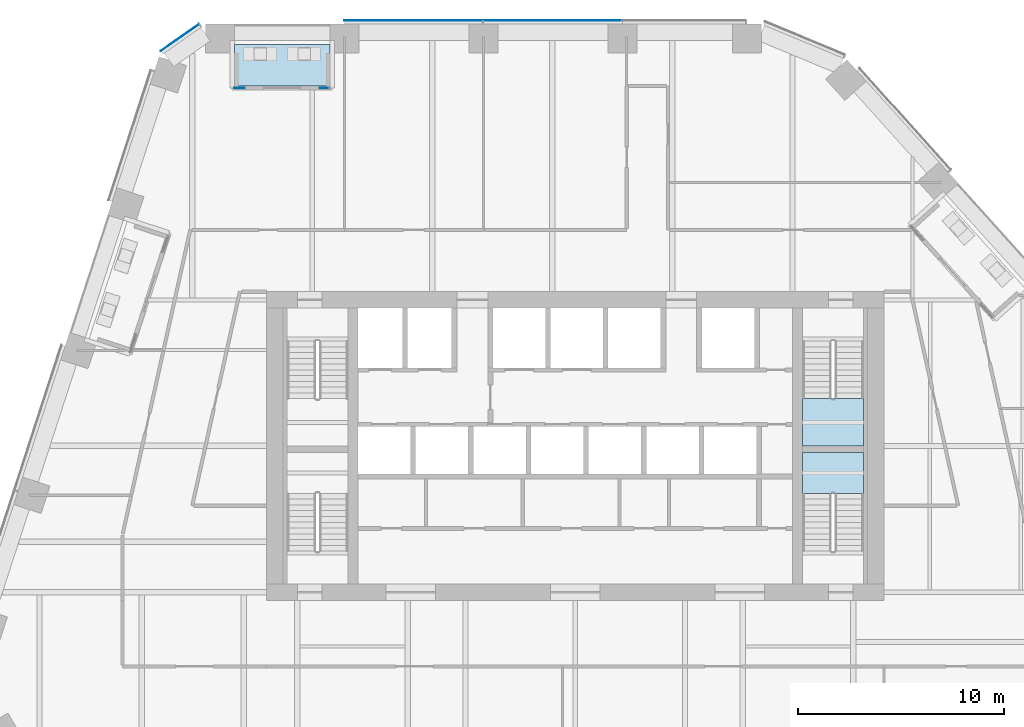
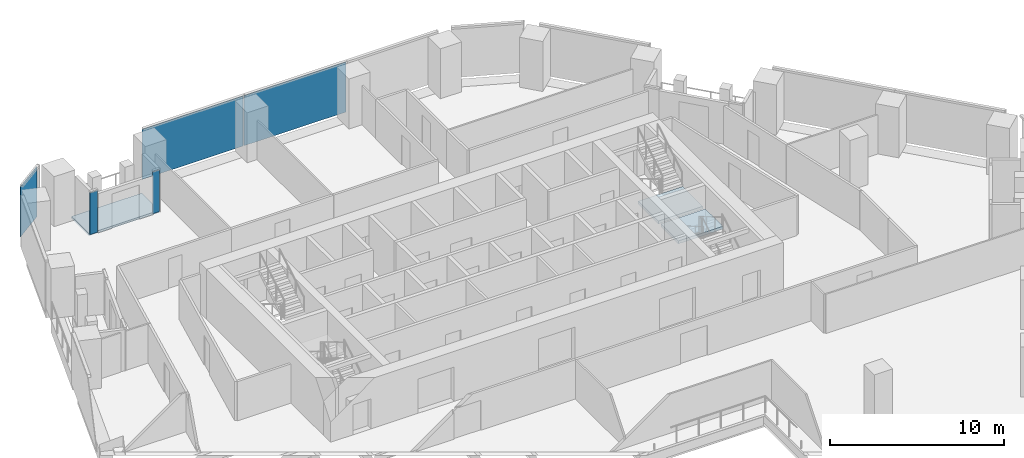
# One storey, part 17 of 26: 5 plates, 3 slabs, 5 elements without a shape of their own.
"""IFC4 building model written with IfcOpenShell, lengths in metres."""

from ifc_helpers import new_model, si_unit, direction, frame, origin, origin_2d, place, context, subcontext, project, spatial, polyline, rectangle, outline, extrude, material, layer, layer_set, type_object, element, aggregate, save


model = new_model("IFC4")

# Units and contexts
model_context = context("Model", 3, precision=1e-05, world=origin(), true_north=direction((0.0, 1.0)))
body_context = subcontext(model_context, "Body", "Model", "MODEL_VIEW")
ifc_project = project(units=[si_unit("LENGTHUNIT", "METRE"), si_unit("AREAUNIT", "SQUARE_METRE"), si_unit("VOLUMEUNIT", "CUBIC_METRE"), si_unit("PLANEANGLEUNIT", "RADIAN"), si_unit("MASSUNIT", "GRAM", prefix="KILO")], contexts=[model_context])

# Site, building, storey
site_placement = place(None, origin())
site = spatial("IfcSite", under=ifc_project, at=site_placement, CompositionType="ELEMENT")
building_placement = place(site_placement, origin())
building = spatial("IfcBuilding", under=site, at=building_placement, Name="Isthmus Gate Tower", CompositionType="ELEMENT")
storey_placement = place(building_placement, frame((0.0, 0.0, 144.39990234375)))
storey = spatial("IfcBuildingStorey", under=building, at=storey_placement, Name="L35", CompositionType="ELEMENT", Elevation=144.39990234375)

# Curtain wall, plates
ifc_material_1 = material(Name="Aluminium, pale champagne anodised", Category="aluminium")
ifc_layer_1 = layer(ifc_material_1, 0.199951171875)
ifc_layer_set_1 = layer_set([ifc_layer_1], Name="CW-1 UNITISED CURTAIN WALL 200 DEEP")
curtain_wall_type_1 = type_object("IfcCurtainWallType", Name="CW-1 UNITISED CURTAIN WALL 200 DEEP", PredefinedType="NOTDEFINED", material=ifc_layer_set_1)
curtain_wall_1_placement = place(storey_placement, origin())
curtain_wall_1 = element("IfcCurtainWall", 1, at=curtain_wall_1_placement, inside=storey, type_object=curtain_wall_type_1, Name="CW-1 N L35", PredefinedType="NOTDEFINED")
ifc_material_2 = material(Name="Laminated low-iron glass, pale blue tint", Category="glass")
ifc_layer_2 = layer(ifc_material_2, 0.035888671875)
ifc_layer_set_2 = layer_set([ifc_layer_2], Name="CW-1 CLEAR GLASS LITE 36")
plate_type_1 = type_object("IfcPlateType", Name="CW-1 CLEAR GLASS LITE 36", PredefinedType="CURTAIN_PANEL", material=ifc_layer_set_2)
plate_1_placement = place(storey_placement, frame((-1.086669921875, 28.181884765625, 0.0), z_axis=(0.0, 0.0, 1.0), x_axis=(-1.0, 0.0, 0.0)))
plate_1 = element("IfcPlate", 2, at=plate_1_placement, type_object=plate_type_1, Name="CW-1 glass lite", PredefinedType="CURTAIN_PANEL", context=body_context, shape_type="SweptSolid", body=[
    extrude(rectangle(XDim=6.750244140625, YDim=0.035888671875, at=origin_2d()), origin(), (0.0, 0.0, 1.0), 3.510009765625),
])
plate_2_placement = place(storey_placement, frame((-7.86669921875, 28.181884765625, 0.0), z_axis=(0.0, 0.0, 1.0), x_axis=(-1.0, 0.0, 0.0)))
plate_2 = element("IfcPlate", 3, at=plate_2_placement, type_object=plate_type_1, Name="CW-1 glass lite", PredefinedType="CURTAIN_PANEL", context=body_context, shape_type="SweptSolid", body=[
    extrude(rectangle(XDim=6.690185546875, YDim=0.035888671875, at=origin_2d()), origin(), (0.0, 0.0, 1.0), 3.510009765625),
])
aggregate(curtain_wall_1, [plate_1, plate_2])

# Curtain wall, plate
curtain_wall_2_placement = place(storey_placement, origin())
curtain_wall_2 = element("IfcCurtainWall", 4, at=curtain_wall_2_placement, inside=storey, type_object=curtain_wall_type_1, Name="CW-1 N-NW L35", PredefinedType="NOTDEFINED")
plate_3_placement = place(storey_placement, frame((-19.2119140625, 27.343017578125, 0.0), z_axis=(0.0, 0.0, 1.0), x_axis=(-0.81785959165, -0.57541783805, 0.0)))
plate_3 = element("IfcPlate", 5, at=plate_3_placement, type_object=plate_type_1, Name="CW-1 glass lite", PredefinedType="CURTAIN_PANEL", context=body_context, shape_type="SweptSolid", body=[
    extrude(rectangle(XDim=2.258544921875, YDim=0.035888671875, at=origin_2d()), origin(), (0.0, 0.0, 1.0), 3.510009765625),
])
aggregate(curtain_wall_2, [plate_3])

# Curtain wall, plates
ifc_material_3 = material(Name="Aluminium, pale champagne anodised", Category="aluminium")
ifc_layer_3 = layer(ifc_material_3, 0.14990234375)
ifc_layer_set_3 = layer_set([ifc_layer_3], Name="CW-6 LOGGIA BACK WALL GLAZING 150 DEEP")
curtain_wall_type_2 = type_object("IfcCurtainWallType", Name="CW-6 LOGGIA BACK WALL GLAZING 150 DEEP", PredefinedType="NOTDEFINED", material=ifc_layer_set_3)
curtain_wall_3_placement = place(storey_placement, origin())
curtain_wall_3 = element("IfcCurtainWall", 6, at=curtain_wall_3_placement, inside=storey, type_object=curtain_wall_type_2, Name="CW-6 N L35", PredefinedType="NOTDEFINED")
ifc_material_4 = material(Name="Laminated low-iron glass, clear", Category="glass")
ifc_layer_4 = layer(ifc_material_4, 0.031982421875)
ifc_layer_set_4 = layer_set([ifc_layer_4], Name="CW-6 CLEAR GLASS LITE 32")
plate_type_2 = type_object("IfcPlateType", Name="CW-6 CLEAR GLASS LITE 32", PredefinedType="CURTAIN_PANEL", material=ifc_layer_set_4)
plate_4_placement = place(storey_placement, frame((-12.19189453125, 24.89990234375, 0.0), z_axis=(0.0, 0.0, 1.0), x_axis=(-1.0, 0.0, 0.0)))
plate_4 = element("IfcPlate", 7, at=plate_4_placement, type_object=plate_type_2, Name="CW-6 glass lite", PredefinedType="CURTAIN_PANEL", context=body_context, shape_type="SweptSolid", body=[
    extrude(rectangle(XDim=0.43994140625, YDim=0.031982421875, at=origin_2d()), origin(), (0.0, 0.0, 1.0), 2.929931640625),
])
plate_5_placement = place(storey_placement, frame((-16.31201171875, 24.89990234375, 0.0), z_axis=(0.0, 0.0, 1.0), x_axis=(-1.0, 0.0, 0.0)))
plate_5 = element("IfcPlate", 8, at=plate_5_placement, type_object=plate_type_2, Name="CW-6 glass lite", PredefinedType="CURTAIN_PANEL", context=body_context, shape_type="SweptSolid", body=[
    extrude(rectangle(XDim=0.5, YDim=0.031982421875, at=origin_2d()), origin(), (0.0, 0.0, 1.0), 2.929931640625),
])
aggregate(curtain_wall_3, [plate_4, plate_5])

# Slab
ifc_material_5 = material(Name="Concrete f'c 50 MPa", Category="concrete")
ifc_layer_5 = layer(ifc_material_5, 0.14990234375)
ifc_layer_set_5 = layer_set([ifc_layer_5], Name="LOGGIA FLOOR SLAB 150")
slab_type_1 = type_object("IfcSlabType", Name="LOGGIA FLOOR SLAB 150", PredefinedType="FLOOR", material=ifc_layer_set_5)
slab_1_placement = place(storey_placement, frame((0.0, 0.0, -0.14990234375)))
element("IfcSlab", 9, at=slab_1_placement, inside=storey, type_object=slab_type_1, Name="LOGGIA FLOOR", PredefinedType="FLOOR", context=body_context, shape_type="SweptSolid", body=[
    extrude(outline(polyline([(-11.911865234375, 27.0), (-16.56201171875, 27.0), (-16.56201171875, 25.0), (-11.911865234375, 25.0), (-11.911865234375, 27.0)])), origin(), (0.0, 0.0, 1.0), 0.14990234375),
])

# Stair, slab
ifc_material_6 = material(Name="Concrete f'c 40 MPa", Category="concrete")
stair_type = type_object("IfcStairType", Name="CORE STAIR 22 RISERS", PredefinedType="HALF_TURN_STAIR", material=ifc_material_6)
stair_1_placement = place(storey_placement, origin())
stair_1 = element("IfcStair", 10, at=stair_1_placement, inside=storey, type_object=stair_type, Name="L35 Exit Stair 2", PredefinedType="HALF_TURN_STAIR")
ifc_material_7 = material(Name="Concrete f'c 40 MPa", Category="concrete")
ifc_layer_6 = layer(ifc_material_7, 0.199951171875)
ifc_layer_set_6 = layer_set([ifc_layer_6])
slab_type_2 = type_object("IfcSlabType", Name="STAIR LANDING RC 200", PredefinedType="LANDING", material=ifc_layer_set_6)
slab_2_placement = place(storey_placement, frame((0.0, 0.0, 1.625)))
slab_2 = element("IfcSlab", 11, at=slab_2_placement, type_object=slab_type_2, Name="ST2 landing 1", PredefinedType="LANDING", context=body_context, shape_type="SweptSolid", body=[
    extrude(outline(polyline([(11.050048828125, 9.800048828125), (11.050048828125, 7.5), (14.0, 7.5), (14.0, 9.800048828125), (11.050048828125, 9.800048828125)])), origin(), (0.0, 0.0, 1.0), 0.2001953125),
])
aggregate(stair_1, [slab_2])

stair_2_placement = place(storey_placement, origin())
stair_2 = element("IfcStair", 12, at=stair_2_placement, inside=storey, type_object=stair_type, Name="L35 Exit Stair 8", PredefinedType="HALF_TURN_STAIR")
slab_3_placement = place(storey_placement, frame((0.0, 0.0, 1.625)))
slab_3 = element("IfcSlab", 13, at=slab_3_placement, type_object=slab_type_2, Name="ST8 landing 1", PredefinedType="LANDING", context=body_context, shape_type="SweptSolid", body=[
    extrude(outline(polyline([(14.0, 5.199951171875), (14.0, 7.199951171875), (11.050048828125, 7.199951171875), (11.050048828125, 5.199951171875), (14.0, 5.199951171875)])), origin(), (0.0, 0.0, 1.0), 0.2001953125),
])
aggregate(stair_2, [slab_3])

save(model, "model.ifc")
